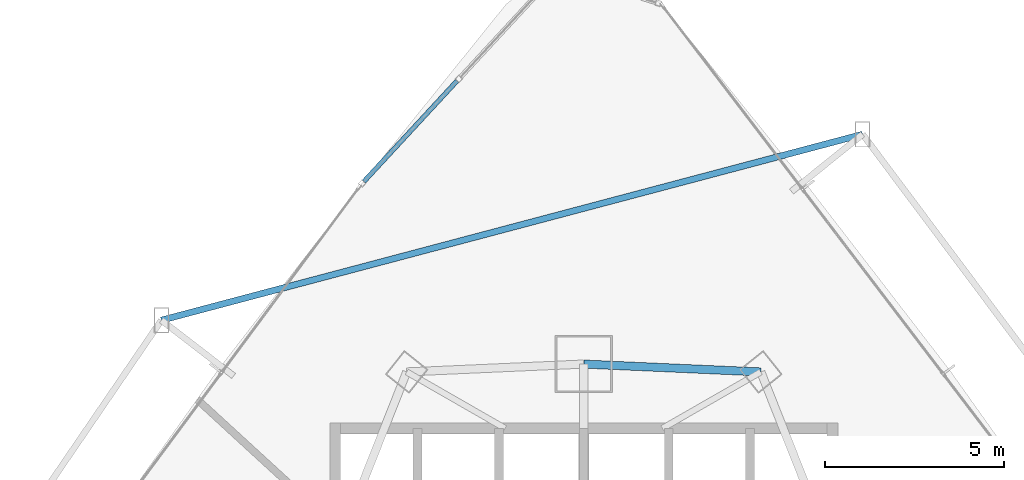
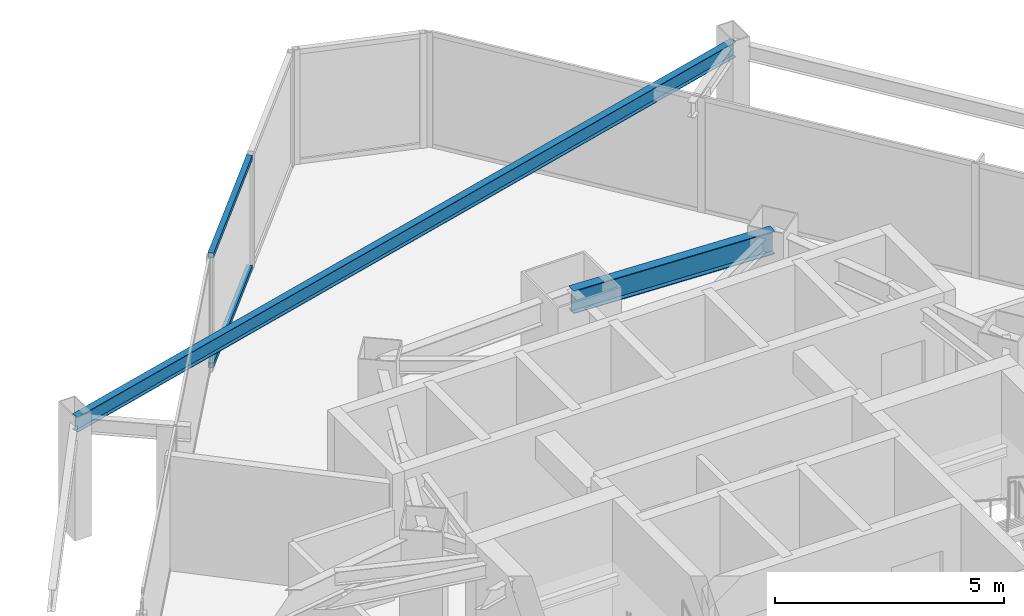
# One storey, part 24 of 35: 2 beams, 2 members, 1 element without a shape of its own.
"""IFC4 building model written with IfcOpenShell, lengths in metres."""

from ifc_helpers import new_model, si_unit, direction, frame, origin, origin_2d, place, context, subcontext, project, spatial, hollow_rectangle, i_section, extrude, material, layer, layer_set, material_profile, profile_set, type_object, element, aggregate, save


model = new_model("IFC4")

# Units and contexts
model_context = context("Model", 3, precision=1e-05, world=origin(), true_north=direction((0.0, 1.0)))
body_context = subcontext(model_context, "Body", "Model", "MODEL_VIEW")
ifc_project = project(units=[si_unit("LENGTHUNIT", "METRE"), si_unit("AREAUNIT", "SQUARE_METRE"), si_unit("VOLUMEUNIT", "CUBIC_METRE"), si_unit("PLANEANGLEUNIT", "RADIAN"), si_unit("MASSUNIT", "GRAM", prefix="KILO")], contexts=[model_context])

# Site, building, storey
site_placement = place(None, origin())
site = spatial("IfcSite", under=ifc_project, at=site_placement, CompositionType="ELEMENT")
building_placement = place(site_placement, origin())
building = spatial("IfcBuilding", under=site, at=building_placement, Name="Orvanel Arch Residences", CompositionType="ELEMENT")
storey_placement = place(building_placement, frame((0.0, 0.0, 33.5)))
storey = spatial("IfcBuildingStorey", under=building, at=storey_placement, Name="L08", CompositionType="ELEMENT", Elevation=33.5)

# Beams
ifc_material_1 = material(Name="Structural steel AS/NZS 3679.1 Grade 300 (300 MPa)", Category="steel")
ifc_material_profile_1 = material_profile(ifc_material_1, i_section(OverallWidth=0.177978515625, OverallDepth=0.406005859375, WebThickness=0.0078125, FlangeThickness=0.0126953125, at=origin_2d()), Name="410UB59.7")
ifc_profile_set_1 = profile_set([ifc_material_profile_1], Name="Structural steel AS/NZS 3679.1 Grade 300 (300 MPa)")
beam_type_1 = type_object("IfcBeamType", Name="OB-410UB-EXT", PredefinedType="SPANDREL", material=ifc_profile_set_1)
beam_1_placement = place(storey_placement, frame((40.794921875, 47.820068359375, 2.85693359375), z_axis=(-0.966603807913, -0.25627539587, 0.0), x_axis=(0.25627539587, -0.966603807913, 0.0)))
element("IfcBeam", 1, at=beam_1_placement, inside=storey, type_object=beam_type_1, Name="L08 Outer Perimeter Floor Ring Beam 12", PredefinedType="SPANDREL", context=body_context, shape_type="SweptSolid", body=[
    extrude(i_section(OverallWidth=0.177978515625, OverallDepth=0.406005859375, WebThickness=0.0078125, FlangeThickness=0.0126953125, at=origin_2d()), origin(), (0.0, 0.0, 1.0), 20.279052734375),
])
ifc_material_profile_2 = material_profile(ifc_material_1, i_section(OverallWidth=0.22900390625, OverallDepth=0.612060546875, WebThickness=0.011962890625, FlangeThickness=0.01953125, at=origin_2d()), Name="610UB125")
ifc_profile_set_2 = profile_set([ifc_material_profile_2], Name="Structural steel AS/NZS 3679.1 Grade 300 (300 MPa)")
beam_type_2 = type_object("IfcBeamType", Name="SP-610UB", PredefinedType="SPANDREL", material=ifc_profile_set_2)
beam_2_placement = place(storey_placement, frame((37.949951171875, 41.177978515625, 2.75390625), z_axis=(-0.999014049296, 0.044395149614, 0.0), x_axis=(-0.044395149614, -0.999014049296, 0.0)))
element("IfcBeam", 2, at=beam_2_placement, inside=storey, type_object=beam_type_2, Name="L08 Perimeter Spandrel Beam 16", PredefinedType="SPANDREL", context=body_context, shape_type="SweptSolid", body=[
    extrude(i_section(OverallWidth=0.22900390625, OverallDepth=0.612060546875, WebThickness=0.011962890625, FlangeThickness=0.01953125, at=origin_2d()), origin(), (0.0, 0.0, 1.0), 4.954833984375),
])

# Curtain wall, members
ifc_material_2 = material(Name="Bronze-anodised aluminium AA6063-T6", Category="aluminium")
ifc_layer = layer(ifc_material_2, 0.18994140625)
ifc_layer_set = layer_set([ifc_layer], Name="Bronze-anodised aluminium AA6063-T6")
curtain_wall_type = type_object("IfcCurtainWallType", Name="CW5-CRN-SYS", PredefinedType="NOTDEFINED", material=ifc_layer_set)
curtain_wall_placement = place(storey_placement, origin())
curtain_wall = element("IfcCurtainWall", 3, at=curtain_wall_placement, inside=storey, type_object=curtain_wall_type, Name="L08 CW5-CRN-SYS Unitised Curtain Wall", PredefinedType="NOTDEFINED")
ifc_material_profile_3 = material_profile(ifc_material_2, hollow_rectangle(XDim=0.1298828125, YDim=0.1298828125, WallThickness=0.00439453125, at=origin_2d()), Name="ALU130x130x4.5")
ifc_profile_set_3 = profile_set([ifc_material_profile_3], Name="Bronze-anodised aluminium AA6063-T6")
member_type = type_object("IfcMemberType", Name="TRN-130x130", PredefinedType="USERDEFINED", material=ifc_profile_set_3)
member_1_placement = place(storey_placement, frame((29.45654296875, 49.31298828125, 0.06494140625), z_axis=(-0.679137285382, -0.734011272123, 0.0), x_axis=(0.734011272123, -0.679137285382, 0.0)))
member_1 = element("IfcMember", 4, at=member_1_placement, type_object=member_type, Name="CW-S5 transom 2.1", ObjectType="TRANSOM", PredefinedType="USERDEFINED", context=body_context, shape_type="SweptSolid", body=[
    extrude(hollow_rectangle(XDim=0.1298828125, YDim=0.1298828125, WallThickness=0.00439453125, at=origin_2d()), origin(), (0.0, 0.0, 1.0), 3.83056640625),
])
member_2_placement = place(storey_placement, frame((29.45654296875, 49.31298828125, 2.9951171875), z_axis=(-0.679137285382, -0.734011272123, 0.0), x_axis=(0.734011272123, -0.679137285382, 0.0)))
member_2 = element("IfcMember", 5, at=member_2_placement, type_object=member_type, Name="CW-S5 transom 2.2", ObjectType="TRANSOM", PredefinedType="USERDEFINED", context=body_context, shape_type="SweptSolid", body=[
    extrude(hollow_rectangle(XDim=0.1298828125, YDim=0.1298828125, WallThickness=0.00439453125, at=origin_2d()), origin(), (0.0, 0.0, 1.0), 3.83056640625),
])
aggregate(curtain_wall, [member_1, member_2])

save(model, "model.ifc")
